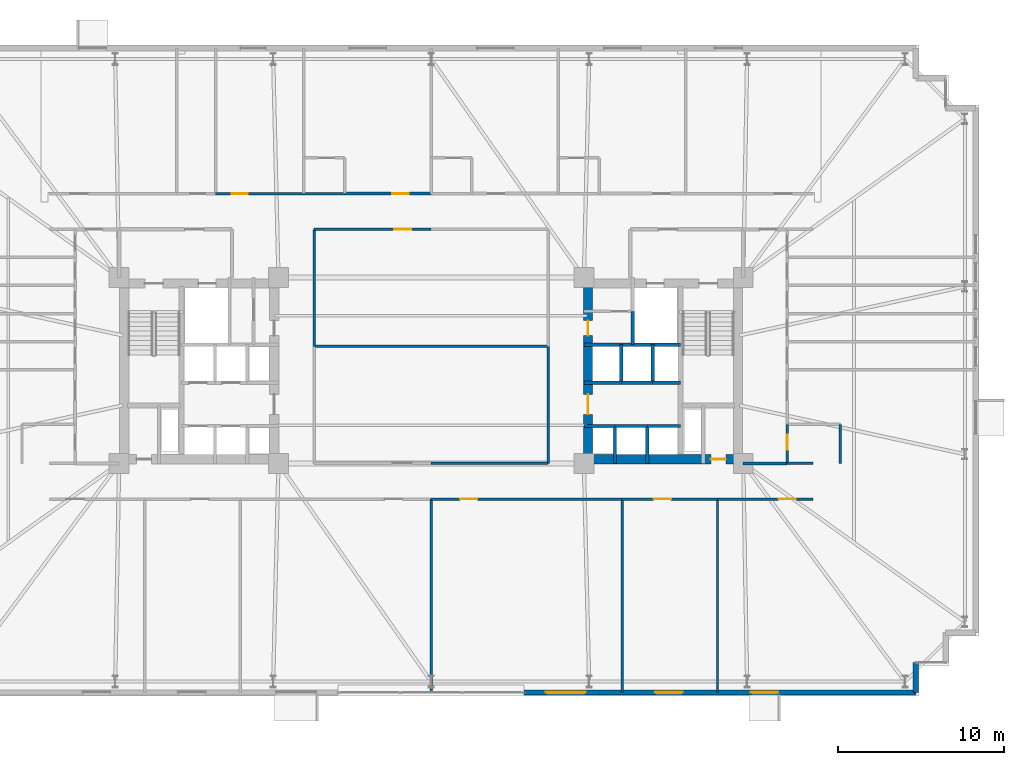
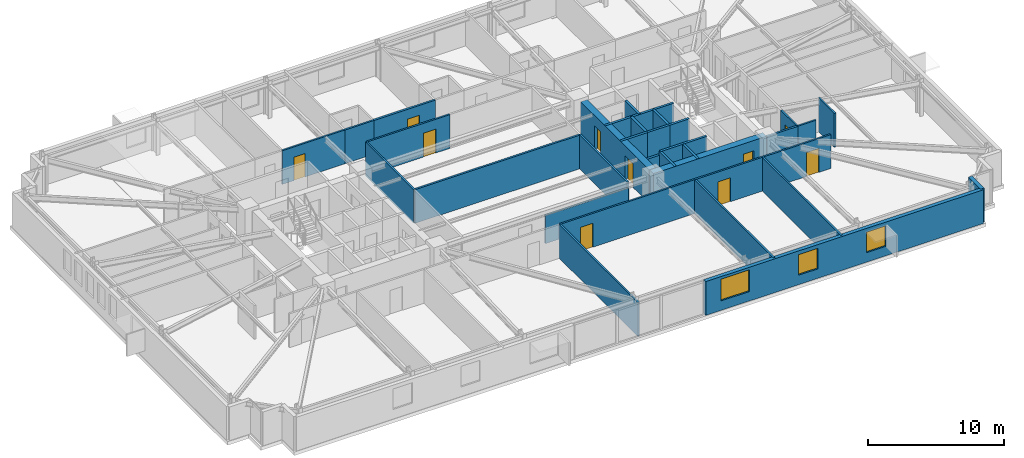
# One storey, part 20 of 26: 34 walls, 10 doors, 3 windows, 13 openings.
"""IFC4 building model written with IfcOpenShell, lengths in metres."""

from ifc_helpers import new_model, si_unit, direction, frame, frame_2d, origin, place, context, subcontext, project, spatial, rectangle, extrude, material, layer, layer_set, type_object, element, fill, save


model = new_model("IFC4")

# Units and contexts
model_context = context("Model", 3, precision=1e-05, world=origin(), true_north=direction((0.0, 1.0)))
body_context = subcontext(model_context, "Body", "Model", "MODEL_VIEW")
ifc_project = project(units=[si_unit("LENGTHUNIT", "METRE"), si_unit("AREAUNIT", "SQUARE_METRE"), si_unit("VOLUMEUNIT", "CUBIC_METRE"), si_unit("PLANEANGLEUNIT", "RADIAN"), si_unit("MASSUNIT", "GRAM", prefix="KILO")], contexts=[model_context])

# Site, building, storey
site_placement = place(None, origin())
site = spatial("IfcSite", under=ifc_project, at=site_placement, CompositionType="ELEMENT")
building_placement = place(site_placement, origin())
building = spatial("IfcBuilding", under=site, at=building_placement, Name="Qobustan Lattice House", CompositionType="ELEMENT")
storey_placement = place(building_placement, frame((0.0, 0.0, 47.10009765625)))
storey = spatial("IfcBuildingStorey", under=building, at=storey_placement, Name="L12", CompositionType="ELEMENT", Elevation=47.10009765625)

# Wall, opening, door
ifc_material_1 = material(Name="Concrete C60/75", Category="concrete")
ifc_layer_1 = layer(ifc_material_1, 0.56005859375)
ifc_layer_set_1 = layer_set([ifc_layer_1], Name="Concrete C60/75")
wall_type_1 = type_object("IfcWallType", Name="WAL-CORE-600", PredefinedType="SHEAR", material=ifc_layer_set_1)
wall_1_placement = place(storey_placement, frame((9.199951171875, -5.35009765625, 0.0), z_axis=(0.0, 0.0, 1.0), x_axis=(1.0, 0.0, 0.0)))
wall_1 = element("IfcWall", 1, at=wall_1_placement, inside=storey, type_object=wall_type_1, Name="L12 split-core shear wall CE-S", PredefinedType="SHEAR", context=body_context, shape_type="SweptSolid", body=[
    extrude(rectangle(XDim=9.60009765625, YDim=0.56005859375, at=frame_2d((4.800048828125, 0.0))), origin(), (0.0, 0.0, 1.0), 3.034912109375),
])
opening_1_placement = place(wall_1_placement, frame((7.64990234375, 0.0, 0.0)))
opening_1 = element("IfcOpeningElement", 2, at=opening_1_placement, cuts=wall_1, Name="Opening RD-01", PredefinedType="OPENING", context=body_context, shape_type="SweptSolid", body=[
    extrude(rectangle(XDim=0.89990234375, YDim=2.10009765625, at=frame_2d((0.449951171875, 1.050048828125))), frame((0.0, 0.2900390625, 0.0), z_axis=(0.0, -1.0, 0.0), x_axis=(1.0, 0.0, 0.0)), (0.0, 0.0, 1.0), 0.580078125),
])
ifc_material_2 = material(Name="Persian walnut timber and steel frame door", Category="steel")
door_type_1 = type_object("IfcDoorType", Name="DOR-RISER-FD-900x2100", OperationType="NOTDEFINED", PredefinedType="DOOR", material=ifc_material_2)
door_1_placement = place(opening_1_placement, origin())
door_1 = element("IfcDoor", 3, at=door_1_placement, inside=storey, type_object=door_type_1, Name="L12 core service riser access door E", OperationType="SINGLE_SWING_LEFT", OverallHeight=2.10009765625, OverallWidth=0.89990234375, PredefinedType="DOOR", context=body_context, shape_type="SweptSolid", body=[
    extrude(rectangle(XDim=0.89990234375, YDim=2.10009765625, at=frame_2d((0.449951171875, 1.050048828125))), frame((0.0, 0.02490234375, 0.0), z_axis=(0.0, -1.0, 0.0), x_axis=(1.0, 0.0, 0.0)), (0.0, 0.0, 1.0), 0.050048828125),
])
fill(opening_1, door_1)

# Wall, openings, doors
wall_2_placement = place(storey_placement, frame((9.449951171875, -5.050048828125, 0.0), z_axis=(0.0, 0.0, 1.0), x_axis=(0.0, 1.0, 0.0)))
wall_2 = element("IfcWall", 4, at=wall_2_placement, inside=storey, type_object=wall_type_1, Name="L12 split-core shear wall CE-W", PredefinedType="SHEAR", context=body_context, shape_type="SweptSolid", body=[
    extrude(rectangle(XDim=10.10009765625, YDim=0.56005859375, at=frame_2d((5.050048828125, 0.0))), origin(), (0.0, 0.0, 1.0), 3.034912109375),
])
opening_2_placement = place(wall_2_placement, frame((7.14990234375, 0.0, 0.0)))
opening_2 = element("IfcOpeningElement", 5, at=opening_2_placement, cuts=wall_2, Name="Opening RD-01", PredefinedType="OPENING", context=body_context, shape_type="SweptSolid", body=[
    extrude(rectangle(XDim=0.89990234375, YDim=2.10009765625, at=frame_2d((0.449951171875, 1.050048828125))), frame((0.0, 0.2900390625, 0.0), z_axis=(0.0, -1.0, 0.0), x_axis=(1.0, 0.0, 0.0)), (0.0, 0.0, 1.0), 0.580078125),
])
opening_3_placement = place(wall_2_placement, frame((2.39990234375, 0.0, 0.0)))
opening_3 = element("IfcOpeningElement", 6, at=opening_3_placement, cuts=wall_2, Name="Opening FD-01", PredefinedType="OPENING", context=body_context, shape_type="SweptSolid", body=[
    extrude(rectangle(XDim=1.199951171875, YDim=2.14990234375, at=frame_2d((0.60009765625, 1.074951171875))), frame((0.0, 0.2900390625, 0.0), z_axis=(0.0, -1.0, 0.0), x_axis=(1.0, 0.0, 0.0)), (0.0, 0.0, 1.0), 0.580078125),
])
ifc_material_3 = material(Name="Persian walnut timber and steel frame door", Category="steel")
door_type_2 = type_object("IfcDoorType", Name="DOR-LOBBY-FD-1200x2150", OperationType="NOTDEFINED", PredefinedType="DOOR", material=ifc_material_3)
door_2_placement = place(opening_3_placement, origin())
door_2 = element("IfcDoor", 7, at=door_2_placement, inside=storey, type_object=door_type_2, Name="L12 East passenger lift lobby fire door", OperationType="SINGLE_SWING_LEFT", OverallHeight=2.14990234375, OverallWidth=1.199951171875, PredefinedType="DOOR", context=body_context, shape_type="SweptSolid", body=[
    extrude(rectangle(XDim=1.199951171875, YDim=2.14990234375, at=frame_2d((0.60009765625, 1.074951171875))), frame((0.0, 0.02490234375, 0.0), z_axis=(0.0, -1.0, 0.0), x_axis=(1.0, 0.0, 0.0)), (0.0, 0.0, 1.0), 0.050048828125),
])
fill(opening_3, door_2)
door_3_placement = place(opening_2_placement, origin())
door_3 = element("IfcDoor", 8, at=door_3_placement, inside=storey, type_object=door_type_1, Name="L12 Housekeeping utility foyer fire door", OperationType="SINGLE_SWING_RIGHT", OverallHeight=2.10009765625, OverallWidth=0.89990234375, PredefinedType="DOOR", context=body_context, shape_type="SweptSolid", body=[
    extrude(rectangle(XDim=0.89990234375, YDim=2.10009765625, at=frame_2d((0.449951171875, 1.050048828125))), frame((0.0, 0.02490234375, 0.0), z_axis=(0.0, -1.0, 0.0), x_axis=(1.0, 0.0, 0.0)), (0.0, 0.0, 1.0), 0.050048828125),
])
fill(opening_2, door_3)

# Wall
ifc_material_4 = material(Name="Precast concrete C40/50", Category="concrete")
ifc_layer_2 = layer(ifc_material_4, 0.320068359375)
ifc_layer_set_2 = layer_set([ifc_layer_2], Name="Precast concrete C40/50")
wall_type_2 = type_object("IfcWallType", Name="WAL-EXT-STONE-320", PredefinedType="SOLIDWALL", material=ifc_layer_set_2)
wall_3_placement = place(storey_placement, frame((29.199951171875, -17.60009765625, 0.0), z_axis=(0.0, 0.0, 1.0), x_axis=(0.0, -1.0, 0.0)))
element("IfcWall", 9, at=wall_3_placement, inside=storey, type_object=wall_type_2, Name="L12 exterior limestone-clad wall 19", PredefinedType="SOLIDWALL", context=body_context, shape_type="SweptSolid", body=[
    extrude(rectangle(XDim=1.7998046875, YDim=0.320068359375, at=frame_2d((0.89990234375, 0.0))), origin(), (0.0, 0.0, 1.0), 3.034912109375),
])

# Wall, openings, windows
wall_4_placement = place(storey_placement, frame((29.199951171875, -19.39990234375, 0.0), z_axis=(0.0, 0.0, 1.0), x_axis=(-1.0, 0.0, 0.0)))
wall_4 = element("IfcWall", 10, at=wall_4_placement, inside=storey, type_object=wall_type_2, Name="L12 iwan flank stone wall A", PredefinedType="SOLIDWALL", context=body_context, shape_type="SweptSolid", body=[
    extrude(rectangle(XDim=23.599853515625, YDim=0.320068359375, at=frame_2d((11.7998046875, 0.0))), origin(), (0.0, 0.0, 1.0), 3.034912109375),
])
opening_4_placement = place(wall_4_placement, frame((8.294921875, 0.0, 0.85009765625)))
opening_4 = element("IfcOpeningElement", 11, at=opening_4_placement, cuts=wall_4, Name="Opening WN-09", PredefinedType="OPENING", context=body_context, shape_type="SweptSolid", body=[
    extrude(rectangle(XDim=1.64990234375, YDim=1.85009765625, at=frame_2d((0.824951171875, 0.925048828125))), frame((0.0, 0.169921875, 0.0), z_axis=(0.0, -1.0, 0.0), x_axis=(1.0, 0.0, 0.0)), (0.0, 0.0, 1.0), 0.340087890625),
])
opening_5_placement = place(wall_4_placement, frame((14.054931640625, 0.0, 0.85009765625)))
opening_5 = element("IfcOpeningElement", 12, at=opening_5_placement, cuts=wall_4, Name="Opening WN-09", PredefinedType="OPENING", context=body_context, shape_type="SweptSolid", body=[
    extrude(rectangle(XDim=1.64990234375, YDim=1.85009765625, at=frame_2d((0.824951171875, 0.925048828125))), frame((0.0, 0.169921875, 0.0), z_axis=(0.0, -1.0, 0.0), x_axis=(1.0, 0.0, 0.0)), (0.0, 0.0, 1.0), 0.340087890625),
])
opening_6_placement = place(wall_4_placement, frame((19.889892578125, 0.0, 0.85009765625)))
opening_6 = element("IfcOpeningElement", 13, at=opening_6_placement, cuts=wall_4, Name="Opening WN-10", PredefinedType="OPENING", context=body_context, shape_type="SweptSolid", body=[
    extrude(rectangle(XDim=2.39990234375, YDim=1.949951171875, at=frame_2d((1.199951171875, 0.97509765625))), frame((0.0, 0.169921875, 0.0), z_axis=(0.0, -1.0, 0.0), x_axis=(1.0, 0.0, 0.0)), (0.0, 0.0, 1.0), 0.340087890625),
])
ifc_material_5 = material(Name="Double-glazed low-E aluminium window", Category="aluminium")
window_type_1 = type_object("IfcWindowType", Name="WIN-LNG-2400x1950", PartitioningType="SINGLE_PANEL", PredefinedType="WINDOW", material=ifc_material_5)
window_1_placement = place(opening_6_placement, origin())
window_1 = element("IfcWindow", 14, at=window_1_placement, inside=storey, type_object=window_type_1, Name="L12 Walnut iwan sky lounge S3 window", OverallHeight=1.949951171875, OverallWidth=2.39990234375, PartitioningType="SINGLE_PANEL", PredefinedType="WINDOW", context=body_context, shape_type="SweptSolid", body=[
    extrude(rectangle(XDim=2.39990234375, YDim=1.949951171875, at=frame_2d((1.199951171875, 0.97509765625))), frame((0.0, 0.030029296875, 0.0), z_axis=(0.0, -1.0, 0.0), x_axis=(1.0, 0.0, 0.0)), (0.0, 0.0, 1.0), 0.06005859375),
])
fill(opening_6, window_1)
ifc_material_6 = material(Name="Double-glazed low-E aluminium window", Category="aluminium")
window_type_2 = type_object("IfcWindowType", Name="WIN-STU-1650x1850", PartitioningType="SINGLE_PANEL", PredefinedType="WINDOW", material=ifc_material_6)
window_2_placement = place(opening_4_placement, origin())
window_2 = element("IfcWindow", 15, at=window_2_placement, inside=storey, type_object=window_type_2, Name="L12 Academic seminar room window", OverallHeight=1.85009765625, OverallWidth=1.64990234375, PartitioningType="SINGLE_PANEL", PredefinedType="WINDOW", context=body_context, shape_type="SweptSolid", body=[
    extrude(rectangle(XDim=1.64990234375, YDim=1.85009765625, at=frame_2d((0.824951171875, 0.925048828125))), frame((0.0, 0.030029296875, 0.0), z_axis=(0.0, -1.0, 0.0), x_axis=(1.0, 0.0, 0.0)), (0.0, 0.0, 1.0), 0.06005859375),
])
fill(opening_4, window_2)
window_3_placement = place(opening_5_placement, origin())
window_3 = element("IfcWindow", 16, at=window_3_placement, inside=storey, type_object=window_type_2, Name="L12 Group study room window", OverallHeight=1.85009765625, OverallWidth=1.64990234375, PartitioningType="SINGLE_PANEL", PredefinedType="WINDOW", context=body_context, shape_type="SweptSolid", body=[
    extrude(rectangle(XDim=1.64990234375, YDim=1.85009765625, at=frame_2d((0.824951171875, 0.925048828125))), frame((0.0, 0.030029296875, 0.0), z_axis=(0.0, -1.0, 0.0), x_axis=(1.0, 0.0, 0.0)), (0.0, 0.0, 1.0), 0.06005859375),
])
fill(opening_5, window_3)

# Wall, opening, door
ifc_material_7 = material(Name="Gypsum fireboard acoustic partition", Category="gypsum")
ifc_layer_3 = layer(ifc_material_7, 0.179931640625)
ifc_layer_set_3 = layer_set([ifc_layer_3], Name="Gypsum fireboard acoustic partition")
wall_type_3 = type_object("IfcWallType", Name="WAL-FIRE-180", PredefinedType="PARTITIONING", material=ifc_layer_set_3)
wall_5_placement = place(storey_placement, frame((-5.217041015625, 10.64990234375, 0.0), z_axis=(0.0, 0.0, 1.0), x_axis=(1.0, 0.0, 0.0)))
wall_5 = element("IfcWall", 17, at=wall_5_placement, inside=storey, type_object=wall_type_3, Name="L12 interior partition 43", PredefinedType="PARTITIONING", context=body_context, shape_type="SweptSolid", body=[
    extrude(rectangle(XDim=5.217041015625, YDim=0.179931640625, at=frame_2d((2.6083984375, 0.0))), origin(), (0.0, 0.0, 1.0), 3.034912109375),
])
opening_7_placement = place(wall_5_placement, frame((2.872802734375, 0.0, 0.0)))
opening_7 = element("IfcOpeningElement", 18, at=opening_7_placement, cuts=wall_5, Name="Opening FD-02", PredefinedType="OPENING", context=body_context, shape_type="SweptSolid", body=[
    extrude(rectangle(XDim=1.0, YDim=2.14990234375, at=frame_2d((0.5, 1.074951171875))), frame((0.0, 0.099853515625, 0.0), z_axis=(0.0, -1.0, 0.0), x_axis=(1.0, 0.0, 0.0)), (0.0, 0.0, 1.0), 0.199951171875),
])
ifc_material_8 = material(Name="Persian walnut timber and steel frame door", Category="steel")
door_type_3 = type_object("IfcDoorType", Name="DOR-UNIT-FD-1000x2150", OperationType="NOTDEFINED", PredefinedType="DOOR", material=ifc_material_8)
door_4_placement = place(opening_7_placement, origin())
door_4 = element("IfcDoor", 19, at=door_4_placement, inside=storey, type_object=door_type_3, Name="L12 North-west floor corridor to Kitchenette and studio apartment L12-N3 door", OperationType="SINGLE_SWING_RIGHT", OverallHeight=2.14990234375, OverallWidth=1.0, PredefinedType="DOOR", context=body_context, shape_type="SweptSolid", body=[
    extrude(rectangle(XDim=1.0, YDim=2.14990234375, at=frame_2d((0.5, 1.074951171875))), frame((0.0, 0.02490234375, 0.0), z_axis=(0.0, -1.0, 0.0), x_axis=(1.0, 0.0, 0.0)), (0.0, 0.0, 1.0), 0.050048828125),
])
fill(opening_7, door_4)

# Wall
wall_6_placement = place(storey_placement, frame((18.800048828125, -5.60009765625, 0.0), z_axis=(0.0, 0.0, 1.0), x_axis=(1.0, 0.0, 0.0)))
element("IfcWall", 20, at=wall_6_placement, inside=storey, type_object=wall_type_3, Name="L12 interior partition 60", PredefinedType="PARTITIONING", context=body_context, shape_type="SweptSolid", body=[
    extrude(rectangle(XDim=2.64990234375, YDim=0.179931640625, at=frame_2d((1.324951171875, 0.0))), origin(), (0.0, 0.0, 1.0), 3.034912109375),
])

# Wall, opening, door
ifc_material_9 = material(Name="Acoustic twin-stud gypsum partition", Category="gypsum")
ifc_layer_4 = layer(ifc_material_9, 0.14990234375)
ifc_layer_set_4 = layer_set([ifc_layer_4], Name="Acoustic twin-stud gypsum partition")
wall_type_4 = type_object("IfcWallType", Name="WAL-PART-150", PredefinedType="PARTITIONING", material=ifc_layer_set_4)
wall_7_placement = place(storey_placement, frame((-12.98291015625, 10.64990234375, 0.0), z_axis=(0.0, 0.0, 1.0), x_axis=(1.0, 0.0, 0.0)))
wall_7 = element("IfcWall", 21, at=wall_7_placement, inside=storey, type_object=wall_type_4, Name="L12 interior partition 42", PredefinedType="PARTITIONING", context=body_context, shape_type="SweptSolid", body=[
    extrude(rectangle(XDim=5.31591796875, YDim=0.14990234375, at=frame_2d((2.657958984375, 0.0))), origin(), (0.0, 0.0, 1.0), 3.034912109375),
])
opening_8_placement = place(wall_7_placement, frame((0.980712890625, 0.0, 0.0)))
opening_8 = element("IfcOpeningElement", 22, at=opening_8_placement, cuts=wall_7, Name="Opening ID-01", PredefinedType="OPENING", context=body_context, shape_type="SweptSolid", body=[
    extrude(rectangle(XDim=0.949951171875, YDim=2.10009765625, at=frame_2d((0.47509765625, 1.050048828125))), frame((0.0, 0.0849609375, 0.0), z_axis=(0.0, -1.0, 0.0), x_axis=(1.0, 0.0, 0.0)), (0.0, 0.0, 1.0), 0.169921875),
])
ifc_material_10 = material(Name="Persian walnut timber and steel frame door", Category="steel")
door_type_4 = type_object("IfcDoorType", Name="DOR-ROOM-950x2100", OperationType="NOTDEFINED", PredefinedType="DOOR", material=ifc_material_10)
door_5_placement = place(opening_8_placement, origin())
door_5 = element("IfcDoor", 23, at=door_5_placement, inside=storey, type_object=door_type_4, Name="L12 North-west floor corridor to Laundry utility room door", OperationType="SINGLE_SWING_LEFT", OverallHeight=2.10009765625, OverallWidth=0.949951171875, PredefinedType="DOOR", context=body_context, shape_type="SweptSolid", body=[
    extrude(rectangle(XDim=0.949951171875, YDim=2.10009765625, at=frame_2d((0.47509765625, 1.050048828125))), frame((0.0, 0.02490234375, 0.0), z_axis=(0.0, -1.0, 0.0), x_axis=(1.0, 0.0, 0.0)), (0.0, 0.0, 1.0), 0.050048828125),
])
fill(opening_8, door_5)

wall_8_placement = place(storey_placement, frame((0.0, 8.5, 0.0), z_axis=(0.0, 0.0, 1.0), x_axis=(-1.0, 0.0, 0.0)))
wall_8 = element("IfcWall", 24, at=wall_8_placement, inside=storey, type_object=wall_type_4, Name="L12 interior partition 45", PredefinedType="PARTITIONING", context=body_context, shape_type="SweptSolid", body=[
    extrude(rectangle(XDim=7.050048828125, YDim=0.14990234375, at=frame_2d((3.52490234375, 0.0))), origin(), (0.0, 0.0, 1.0), 3.034912109375),
])
opening_9_placement = place(wall_8_placement, frame((1.18505859375, 0.0, 0.0)))
opening_9 = element("IfcOpeningElement", 25, at=opening_9_placement, cuts=wall_8, Name="Opening ID-02", PredefinedType="OPENING", context=body_context, shape_type="SweptSolid", body=[
    extrude(rectangle(XDim=1.050048828125, YDim=2.14990234375, at=frame_2d((0.52490234375, 1.074951171875))), frame((0.0, 0.0849609375, 0.0), z_axis=(0.0, -1.0, 0.0), x_axis=(1.0, 0.0, 0.0)), (0.0, 0.0, 1.0), 0.169921875),
])
ifc_material_11 = material(Name="Persian walnut timber and steel frame door", Category="steel")
door_type_5 = type_object("IfcDoorType", Name="DOR-STUDY-1050x2150", OperationType="NOTDEFINED", PredefinedType="DOOR", material=ifc_material_11)
door_6_placement = place(opening_9_placement, origin())
door_6 = element("IfcDoor", 26, at=door_6_placement, inside=storey, type_object=door_type_5, Name="L12 North-west floor corridor to Central collaborative study room door", OperationType="SINGLE_SWING_LEFT", OverallHeight=2.14990234375, OverallWidth=1.050048828125, PredefinedType="DOOR", context=body_context, shape_type="SweptSolid", body=[
    extrude(rectangle(XDim=1.050048828125, YDim=2.14990234375, at=frame_2d((0.52490234375, 1.074951171875))), frame((0.0, 0.02490234375, 0.0), z_axis=(0.0, -1.0, 0.0), x_axis=(1.0, 0.0, 0.0)), (0.0, 0.0, 1.0), 0.050048828125),
])
fill(opening_9, door_6)

wall_9_placement = place(storey_placement, frame((11.5, -7.75, 0.0), z_axis=(0.0, 0.0, 1.0), x_axis=(-1.0, 0.0, 0.0)))
wall_9 = element("IfcWall", 27, at=wall_9_placement, inside=storey, type_object=wall_type_4, Name="L12 interior partition 62", PredefinedType="PARTITIONING", context=body_context, shape_type="SweptSolid", body=[
    extrude(rectangle(XDim=11.5, YDim=0.14990234375, at=frame_2d((5.75, 0.0))), origin(), (0.0, 0.0, 1.0), 3.034912109375),
])
opening_10_placement = place(wall_9_placement, frame((8.708740234375, 0.0, 0.0)))
opening_10 = element("IfcOpeningElement", 28, at=opening_10_placement, cuts=wall_9, Name="Opening ID-02", PredefinedType="OPENING", context=body_context, shape_type="SweptSolid", body=[
    extrude(rectangle(XDim=1.050048828125, YDim=2.14990234375, at=frame_2d((0.52490234375, 1.074951171875))), frame((0.0, 0.0849609375, 0.0), z_axis=(0.0, -1.0, 0.0), x_axis=(1.0, 0.0, 0.0)), (0.0, 0.0, 1.0), 0.169921875),
])
door_7_placement = place(opening_10_placement, origin())
door_7 = element("IfcDoor", 29, at=door_7_placement, inside=storey, type_object=door_type_5, Name="L12 South-east floor corridor to Walnut iwan sky lounge S3 door", OperationType="SINGLE_SWING_RIGHT", OverallHeight=2.14990234375, OverallWidth=1.050048828125, PredefinedType="DOOR", context=body_context, shape_type="SweptSolid", body=[
    extrude(rectangle(XDim=1.050048828125, YDim=2.14990234375, at=frame_2d((0.52490234375, 1.074951171875))), frame((0.0, 0.02490234375, 0.0), z_axis=(0.0, -1.0, 0.0), x_axis=(1.0, 0.0, 0.0)), (0.0, 0.0, 1.0), 0.050048828125),
])
fill(opening_10, door_7)

wall_10_placement = place(storey_placement, frame((17.25, -7.75, 0.0), z_axis=(0.0, 0.0, 1.0), x_axis=(-1.0, 0.0, 0.0)))
wall_10 = element("IfcWall", 30, at=wall_10_placement, inside=storey, type_object=wall_type_4, Name="L12 interior partition 63", PredefinedType="PARTITIONING", context=body_context, shape_type="SweptSolid", body=[
    extrude(rectangle(XDim=5.75, YDim=0.14990234375, at=frame_2d((2.875, 0.0))), origin(), (0.0, 0.0, 1.0), 3.034912109375),
])
opening_11_placement = place(wall_10_placement, frame((2.79248046875, 0.0, 0.0)))
opening_11 = element("IfcOpeningElement", 31, at=opening_11_placement, cuts=wall_10, Name="Opening ID-02", PredefinedType="OPENING", context=body_context, shape_type="SweptSolid", body=[
    extrude(rectangle(XDim=1.050048828125, YDim=2.14990234375, at=frame_2d((0.52490234375, 1.074951171875))), frame((0.0, 0.0849609375, 0.0), z_axis=(0.0, -1.0, 0.0), x_axis=(1.0, 0.0, 0.0)), (0.0, 0.0, 1.0), 0.169921875),
])
door_8_placement = place(opening_11_placement, origin())
door_8 = element("IfcDoor", 32, at=door_8_placement, inside=storey, type_object=door_type_5, Name="L12 South-east floor corridor to Group study room door", OperationType="SINGLE_SWING_LEFT", OverallHeight=2.14990234375, OverallWidth=1.050048828125, PredefinedType="DOOR", context=body_context, shape_type="SweptSolid", body=[
    extrude(rectangle(XDim=1.050048828125, YDim=2.14990234375, at=frame_2d((0.52490234375, 1.074951171875))), frame((0.0, 0.02490234375, 0.0), z_axis=(0.0, -1.0, 0.0), x_axis=(1.0, 0.0, 0.0)), (0.0, 0.0, 1.0), 0.050048828125),
])
fill(opening_11, door_8)

wall_11_placement = place(storey_placement, frame((23.0, -7.75, 0.0), z_axis=(0.0, 0.0, 1.0), x_axis=(-1.0, 0.0, 0.0)))
wall_11 = element("IfcWall", 33, at=wall_11_placement, inside=storey, type_object=wall_type_4, Name="L12 interior partition 64", PredefinedType="PARTITIONING", context=body_context, shape_type="SweptSolid", body=[
    extrude(rectangle(XDim=5.75, YDim=0.14990234375, at=frame_2d((2.875, 0.0))), origin(), (0.0, 0.0, 1.0), 3.034912109375),
])
opening_12_placement = place(wall_11_placement, frame((1.0224609375, 0.0, 0.0)))
opening_12 = element("IfcOpeningElement", 34, at=opening_12_placement, cuts=wall_11, Name="Opening ID-02", PredefinedType="OPENING", context=body_context, shape_type="SweptSolid", body=[
    extrude(rectangle(XDim=1.050048828125, YDim=2.14990234375, at=frame_2d((0.52490234375, 1.074951171875))), frame((0.0, 0.0849609375, 0.0), z_axis=(0.0, -1.0, 0.0), x_axis=(1.0, 0.0, 0.0)), (0.0, 0.0, 1.0), 0.169921875),
])
door_9_placement = place(opening_12_placement, origin())
door_9 = element("IfcDoor", 35, at=door_9_placement, inside=storey, type_object=door_type_5, Name="L12 South-east floor corridor to Academic seminar room door", OperationType="SINGLE_SWING_RIGHT", OverallHeight=2.14990234375, OverallWidth=1.050048828125, PredefinedType="DOOR", context=body_context, shape_type="SweptSolid", body=[
    extrude(rectangle(XDim=1.050048828125, YDim=2.14990234375, at=frame_2d((0.52490234375, 1.074951171875))), frame((0.0, 0.02490234375, 0.0), z_axis=(0.0, -1.0, 0.0), x_axis=(1.0, 0.0, 0.0)), (0.0, 0.0, 1.0), 0.050048828125),
])
fill(opening_12, door_9)

# Walls
wall_12_placement = place(storey_placement, frame((-7.050048828125, 8.5, 0.0), z_axis=(0.0, 0.0, 1.0), x_axis=(0.0, -1.0, 0.0)))
element("IfcWall", 36, at=wall_12_placement, inside=storey, type_object=wall_type_4, Name="L12 interior partition 67", PredefinedType="PARTITIONING", context=body_context, shape_type="SweptSolid", body=[
    extrude(rectangle(XDim=7.050048828125, YDim=0.14990234375, at=frame_2d((3.52490234375, 0.0))), origin(), (0.0, 0.0, 1.0), 3.034912109375),
])
for number, where, z_axis, x_axis, name in (
    (37, (0.0, -7.75, 0.0), (0.0, 0.0, 1.0), (0.0, -1.0, 0.0), "L12 interior partition 115"),
    (38, (11.5, -7.75, 0.0), (0.0, 0.0, 1.0), (0.0, -1.0, 0.0), "L12 interior partition 116"),
    (39, (17.25, -7.75, 0.0), (0.0, 0.0, 1.0), (0.0, -1.0, 0.0), "L12 interior partition 117"),
):
    element("IfcWall", number, at=place(storey_placement, frame(where, z_axis=z_axis, x_axis=x_axis)), inside=storey, type_object=wall_type_4, Name=name, PredefinedType="PARTITIONING", context=body_context, shape_type="SweptSolid", body=[
        extrude(rectangle(XDim=11.64990234375, YDim=0.14990234375, at=frame_2d((5.824951171875, 0.0))), origin(), (0.0, 0.0, 1.0), 3.034912109375),
    ])
ifc_material_12 = material(Name="High-mass acoustic twin-stud partition", Category="gypsum")
ifc_layer_5 = layer(ifc_material_12, 0.1650390625)
ifc_layer_set_5 = layer_set([ifc_layer_5], Name="High-mass acoustic twin-stud partition")
wall_type_5 = type_object("IfcWallType", Name="WAL-PART-165", PredefinedType="PARTITIONING", material=ifc_layer_set_5)
wall_13_placement = place(storey_placement, frame((0.0, -5.60009765625, 0.0), z_axis=(0.0, 0.0, 1.0), x_axis=(1.0, 0.0, 0.0)))
element("IfcWall", 40, at=wall_13_placement, inside=storey, type_object=wall_type_5, Name="L12 interior partition 65", PredefinedType="PARTITIONING", context=body_context, shape_type="SweptSolid", body=[
    extrude(rectangle(XDim=7.050048828125, YDim=0.1650390625, at=frame_2d((3.52490234375, 0.0))), origin(), (0.0, 0.0, 1.0), 2.52001953125),
])
wall_14_placement = place(storey_placement, frame((7.050048828125, -5.60009765625, 0.0), z_axis=(0.0, 0.0, 1.0), x_axis=(0.0, 1.0, 0.0)))
element("IfcWall", 41, at=wall_14_placement, inside=storey, type_object=wall_type_5, Name="L12 interior partition 68", PredefinedType="PARTITIONING", context=body_context, shape_type="SweptSolid", body=[
    extrude(rectangle(XDim=7.050048828125, YDim=0.1650390625, at=frame_2d((3.52490234375, 0.0))), origin(), (0.0, 0.0, 1.0), 3.034912109375),
])
wall_15_placement = place(storey_placement, frame((-7.050048828125, 1.449951171875, 0.0), z_axis=(0.0, 0.0, 1.0), x_axis=(1.0, 0.0, 0.0)))
element("IfcWall", 42, at=wall_15_placement, inside=storey, type_object=wall_type_5, Name="L12 interior partition 118", PredefinedType="PARTITIONING", context=body_context, shape_type="SweptSolid", body=[
    extrude(rectangle(XDim=14.10009765625, YDim=0.1650390625, at=frame_2d((7.050048828125, 0.0))), origin(), (0.0, 0.0, 1.0), 3.034912109375),
])
ifc_material_13 = material(Name="Concrete C40/50", Category="concrete")
ifc_layer_6 = layer(ifc_material_13, 0.199951171875)
ifc_layer_set_6 = layer_set([ifc_layer_6], Name="Concrete C40/50")
wall_type_6 = type_object("IfcWallType", Name="WAL-SHAFT-200", PredefinedType="PARTITIONING", material=ifc_layer_set_6)
wall_16_placement = place(storey_placement, frame((12.14990234375, 3.550048828125, 0.0), z_axis=(0.0, 0.0, 1.0), x_axis=(0.0, -1.0, 0.0)))
element("IfcWall", 43, at=wall_16_placement, inside=storey, type_object=wall_type_6, Name="L12 interior partition 20", PredefinedType="PARTITIONING", context=body_context, shape_type="SweptSolid", body=[
    extrude(rectangle(XDim=2.0, YDim=0.199951171875, at=frame_2d((1.0, 0.0))), origin(), (0.0, 0.0, 1.0), 3.034912109375),
])
wall_17_placement = place(storey_placement, frame((9.199951171875, -3.35009765625, 0.0), z_axis=(0.0, 0.0, 1.0), x_axis=(1.0, 0.0, 0.0)))
element("IfcWall", 44, at=wall_17_placement, inside=storey, type_object=wall_type_6, Name="L12 interior partition 27", PredefinedType="PARTITIONING", context=body_context, shape_type="SweptSolid", body=[
    extrude(rectangle(XDim=1.880126953125, YDim=0.199951171875, at=frame_2d((0.93994140625, 0.0))), origin(), (0.0, 0.0, 1.0), 2.75),
])
wall_18_placement = place(storey_placement, frame((11.080078125, -3.35009765625, 0.0), z_axis=(0.0, 0.0, 1.0), x_axis=(1.0, 0.0, 0.0)))
element("IfcWall", 45, at=wall_18_placement, inside=storey, type_object=wall_type_6, Name="L12 interior partition 28", PredefinedType="PARTITIONING", context=body_context, shape_type="SweptSolid", body=[
    extrude(rectangle(XDim=1.93994140625, YDim=0.199951171875, at=frame_2d((0.969970703125, 0.0))), origin(), (0.0, 0.0, 1.0), 3.034912109375),
])
wall_19_placement = place(storey_placement, frame((13.02001953125, -3.35009765625, 0.0), z_axis=(0.0, 0.0, 1.0), x_axis=(1.0, 0.0, 0.0)))
element("IfcWall", 46, at=wall_19_placement, inside=storey, type_object=wall_type_6, Name="L12 interior partition 29", PredefinedType="PARTITIONING", context=body_context, shape_type="SweptSolid", body=[
    extrude(rectangle(XDim=2.0, YDim=0.199951171875, at=frame_2d((1.0, 0.0))), origin(), (0.0, 0.0, 1.0), 3.034912109375),
])
wall_20_placement = place(storey_placement, frame((11.4599609375, -0.75, 0.0), z_axis=(0.0, 0.0, 1.0), x_axis=(-1.0, 0.0, 0.0)))
element("IfcWall", 47, at=wall_20_placement, inside=storey, type_object=wall_type_6, Name="L12 interior partition 30", PredefinedType="PARTITIONING", context=body_context, shape_type="SweptSolid", body=[
    extrude(rectangle(XDim=2.260009765625, YDim=0.199951171875, at=frame_2d((1.1298828125, 0.0))), origin(), (0.0, 0.0, 1.0), 3.034912109375),
])
wall_21_placement = place(storey_placement, frame((13.340087890625, -0.75, 0.0), z_axis=(0.0, 0.0, 1.0), x_axis=(-1.0, 0.0, 0.0)))
element("IfcWall", 48, at=wall_21_placement, inside=storey, type_object=wall_type_6, Name="L12 interior partition 31", PredefinedType="PARTITIONING", context=body_context, shape_type="SweptSolid", body=[
    extrude(rectangle(XDim=1.880126953125, YDim=0.199951171875, at=frame_2d((0.93994140625, 0.0))), origin(), (0.0, 0.0, 1.0), 3.034912109375),
])
wall_22_placement = place(storey_placement, frame((15.02001953125, -0.75, 0.0), z_axis=(0.0, 0.0, 1.0), x_axis=(-1.0, 0.0, 0.0)))
element("IfcWall", 49, at=wall_22_placement, inside=storey, type_object=wall_type_6, Name="L12 interior partition 32", PredefinedType="PARTITIONING", context=body_context, shape_type="SweptSolid", body=[
    extrude(rectangle(XDim=1.679931640625, YDim=0.199951171875, at=frame_2d((0.83984375, 0.0))), origin(), (0.0, 0.0, 1.0), 3.034912109375),
])
for number, where, z_axis, x_axis, name in (
    (50, (11.080078125, -5.60009765625, 0.0), (0.0, 0.0, 1.0), (0.0, 1.0, 0.0), "L12 interior partition 34"),
    (51, (13.02001953125, -5.60009765625, 0.0), (0.0, 0.0, 1.0), (0.0, 1.0, 0.0), "L12 interior partition 35"),
):
    element("IfcWall", number, at=place(storey_placement, frame(where, z_axis=z_axis, x_axis=x_axis)), inside=storey, type_object=wall_type_6, Name=name, PredefinedType="PARTITIONING", context=body_context, shape_type="SweptSolid", body=[
        extrude(rectangle(XDim=2.25, YDim=0.199951171875, at=frame_2d((1.125, 0.0))), origin(), (0.0, 0.0, 1.0), 3.034912109375),
    ])
for number, where, z_axis, x_axis, name in (
    (52, (11.4599609375, -0.75, 0.0), (0.0, 0.0, 1.0), (0.0, 1.0, 0.0), "L12 interior partition 36"),
    (53, (13.340087890625, -0.75, 0.0), (0.0, 0.0, 1.0), (0.0, 1.0, 0.0), "L12 interior partition 37"),
):
    element("IfcWall", number, at=place(storey_placement, frame(where, z_axis=z_axis, x_axis=x_axis)), inside=storey, type_object=wall_type_6, Name=name, PredefinedType="PARTITIONING", context=body_context, shape_type="SweptSolid", body=[
        extrude(rectangle(XDim=2.300048828125, YDim=0.199951171875, at=frame_2d((1.14990234375, 0.0))), origin(), (0.0, 0.0, 1.0), 3.034912109375),
    ])
wall_23_placement = place(storey_placement, frame((9.199951171875, 1.550048828125, 0.0), z_axis=(0.0, 0.0, 1.0), x_axis=(1.0, 0.0, 0.0)))
element("IfcWall", 54, at=wall_23_placement, inside=storey, type_object=wall_type_6, Name="L12 interior partition 120", PredefinedType="PARTITIONING", context=body_context, shape_type="SweptSolid", body=[
    extrude(rectangle(XDim=5.820068359375, YDim=0.199951171875, at=frame_2d((2.91015625, 0.0))), origin(), (0.0, 0.0, 1.0), 3.034912109375),
])
ifc_material_14 = material(Name="Moisture-resistant acoustic plumbing wall", Category="gypsum")
ifc_layer_7 = layer(ifc_material_14, 0.14990234375)
ifc_layer_set_7 = layer_set([ifc_layer_7], Name="Moisture-resistant acoustic plumbing wall")
wall_type_7 = type_object("IfcWallType", Name="WAL-WET-150", PredefinedType="PLUMBINGWALL", material=ifc_layer_set_7)
wall_24_placement = place(storey_placement, frame((-7.6669921875, 10.64990234375, 0.0), z_axis=(0.0, 0.0, 1.0), x_axis=(1.0, 0.0, 0.0)))
element("IfcWall", 55, at=wall_24_placement, inside=storey, type_object=wall_type_7, Name="L12 interior partition 44", PredefinedType="PLUMBINGWALL", context=body_context, shape_type="SweptSolid", body=[
    extrude(rectangle(XDim=2.449951171875, YDim=0.14990234375, at=frame_2d((1.22509765625, 0.0))), origin(), (0.0, 0.0, 1.0), 3.034912109375),
])
wall_25_placement = place(storey_placement, frame((21.449951171875, -5.60009765625, 0.0), z_axis=(0.0, 0.0, 1.0), x_axis=(1.0, 0.0, 0.0)))
element("IfcWall", 56, at=wall_25_placement, inside=storey, type_object=wall_type_7, Name="L12 interior partition 61", PredefinedType="PLUMBINGWALL", context=body_context, shape_type="SweptSolid", body=[
    extrude(rectangle(XDim=1.550048828125, YDim=0.14990234375, at=frame_2d((0.77490234375, 0.0))), origin(), (0.0, 0.0, 1.0), 3.034912109375),
])

# Wall, opening, door
wall_26_placement = place(storey_placement, frame((21.449951171875, -3.25, 0.0), z_axis=(0.0, 0.0, 1.0), x_axis=(0.0, -1.0, 0.0)))
wall_26 = element("IfcWall", 57, at=wall_26_placement, inside=storey, type_object=wall_type_7, Name="L12 interior partition 84", PredefinedType="PLUMBINGWALL", context=body_context, shape_type="SweptSolid", body=[
    extrude(rectangle(XDim=2.35009765625, YDim=0.14990234375, at=frame_2d((1.175048828125, 0.0))), origin(), (0.0, 0.0, 1.0), 3.034912109375),
])
opening_13_placement = place(wall_26_placement, frame((0.6162109375, 0.0, 0.0)))
opening_13 = element("IfcOpeningElement", 58, at=opening_13_placement, cuts=wall_26, Name="Opening WD-01", PredefinedType="OPENING", context=body_context, shape_type="SweptSolid", body=[
    extrude(rectangle(XDim=0.89990234375, YDim=2.10009765625, at=frame_2d((0.449951171875, 1.050048828125))), frame((0.0, 0.0849609375, 0.0), z_axis=(0.0, -1.0, 0.0), x_axis=(1.0, 0.0, 0.0)), (0.0, 0.0, 1.0), 0.169921875),
])
ifc_material_15 = material(Name="Persian walnut timber and steel frame door", Category="steel")
door_type_6 = type_object("IfcDoorType", Name="DOR-WET-900x2100", OperationType="NOTDEFINED", PredefinedType="DOOR", material=ifc_material_15)
door_10_placement = place(opening_13_placement, origin())
door_10 = element("IfcDoor", 59, at=door_10_placement, inside=storey, type_object=door_type_6, Name="L12 Residence entrance hall L12E to Shared bathroom L12E door", OperationType="SINGLE_SWING_RIGHT", OverallHeight=2.10009765625, OverallWidth=0.89990234375, PredefinedType="DOOR", context=body_context, shape_type="SweptSolid", body=[
    extrude(rectangle(XDim=0.89990234375, YDim=2.10009765625, at=frame_2d((0.449951171875, 1.050048828125))), frame((0.0, 0.02490234375, 0.0), z_axis=(0.0, -1.0, 0.0), x_axis=(1.0, 0.0, 0.0)), (0.0, 0.0, 1.0), 0.050048828125),
])
fill(opening_13, door_10)

# Wall
wall_27_placement = place(storey_placement, frame((24.64990234375, -3.25, 0.0), z_axis=(0.0, 0.0, 1.0), x_axis=(0.0, -1.0, 0.0)))
element("IfcWall", 60, at=wall_27_placement, inside=storey, type_object=wall_type_7, Name="L12 interior partition 92", PredefinedType="PLUMBINGWALL", context=body_context, shape_type="SweptSolid", body=[
    extrude(rectangle(XDim=2.35009765625, YDim=0.14990234375, at=frame_2d((1.175048828125, 0.0))), origin(), (0.0, 0.0, 1.0), 3.034912109375),
])

save(model, "model.ifc")
